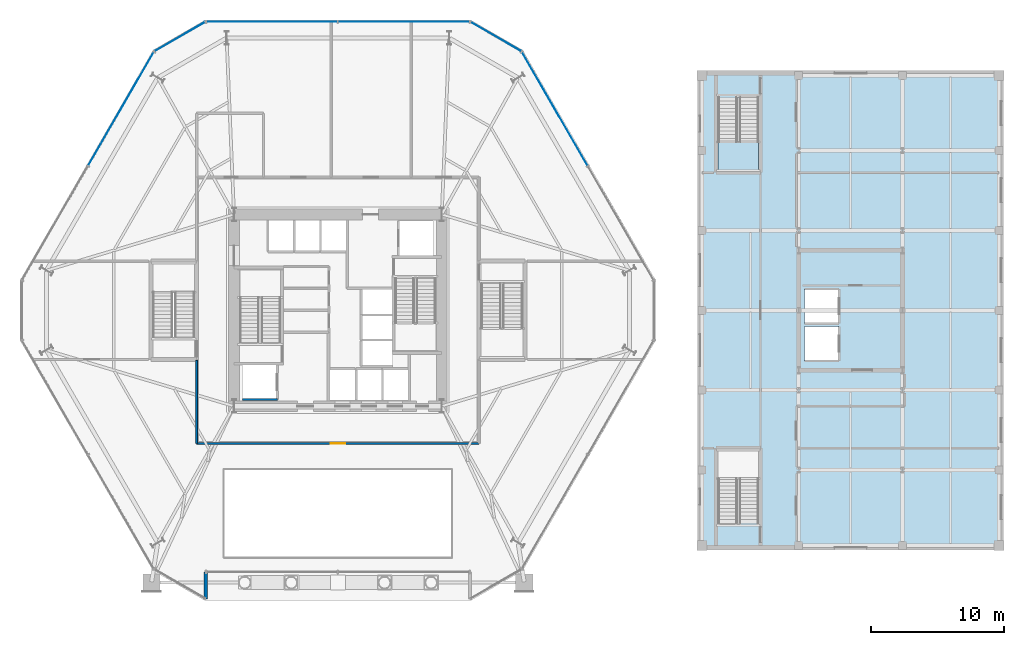
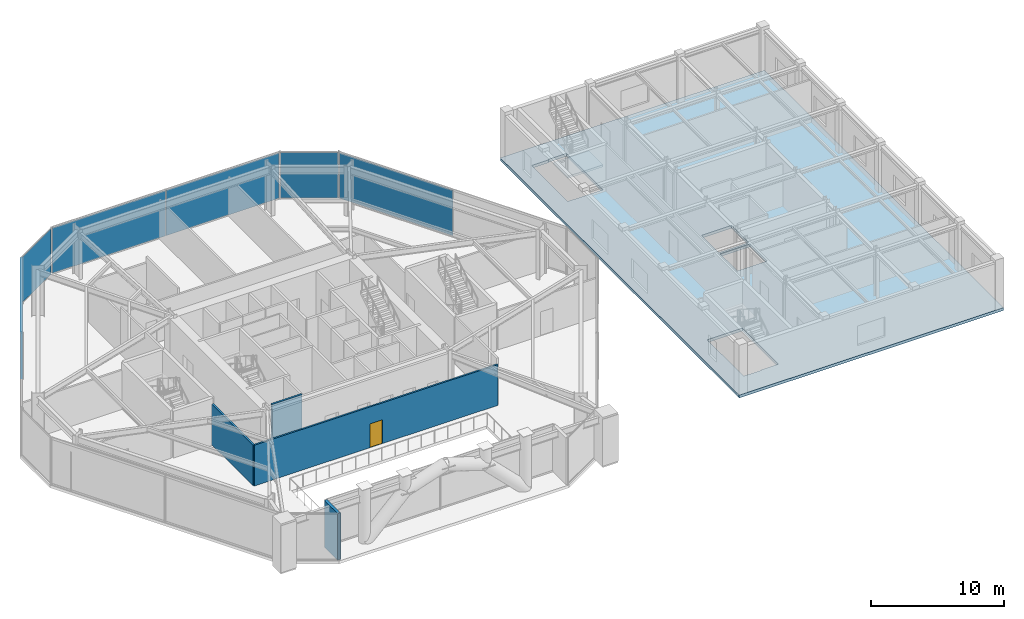
# One storey, part 15 of 23: 6 plates, 4 walls, 2 slabs, 1 door, 1 opening, 6 elements without a shape of their own.
"""IFC4 building model written with IfcOpenShell, lengths in metres."""

import ifcopenshell
import ifcopenshell.guid

model = None  # the IFC model being written
_history = None  # IfcOwnerHistory: only IFC2X3 demands one
_inside = {}  # id of a spatial element -> (the spatial element, [elements in it])
_under = {}  # id of a project, library or spatial element -> (it, [spatial elements below it])
_declared = {}  # id of a project -> (the project, [libraries it declares])
_typed = {}  # id of a type object -> (the type object, [elements of that type])
_made_of = {}  # id of a material, layer set ... -> (it, [elements and type objects made of it])


def new_model(schema):
    """Start an empty IFC model of exactly this schema.

    Asked for "IFC4X3", IfcOpenShell would pick the latest addendum, in which some entities
    have other attributes; the version numbers below select the first issue.
    IFC2X3 requires an IfcOwnerHistory on every rooted entity: one is made here for all.
    """
    global model, _history
    if schema == "IFC4X3":
        model = ifcopenshell.file(schema_version=(4, 3, 0, 0))
    else:
        model = ifcopenshell.file(schema=schema)
    _inside.clear()
    _under.clear()
    _declared.clear()
    _typed.clear()
    _made_of.clear()
    _history = None
    if model.schema == "IFC2X3":
        org = make("IfcOrganization", Name="unknown")
        user = make(
            "IfcPersonAndOrganization",
            ThePerson=make("IfcPerson", FamilyName="unknown"),
            TheOrganization=org,
        )
        app = make(
            "IfcApplication",
            ApplicationDeveloper=org,
            Version="unknown",
            ApplicationFullName="unknown",
            ApplicationIdentifier="unknown",
        )
        _history = make(
            "IfcOwnerHistory",
            OwningUser=user,
            OwningApplication=app,
            ChangeAction="ADDED",
            CreationDate=0,
        )
    return model


def make(cls, **values):
    """One entity of the class cls with the attributes given. An attribute that is None is left unset."""
    return model.create_entity(
        cls, **{name: value for name, value in values.items() if value is not None}
    )


def rooted(cls, **values):
    """An entity with a GlobalId (a new one), such as an element, a storey or a relation."""
    return make(cls, GlobalId=ifcopenshell.guid.new(), OwnerHistory=_history, **values)


def si_unit(unit_type, name, prefix=None):
    """IfcSIUnit, for example si_unit("LENGTHUNIT", "METRE", prefix="MILLI")."""
    return make("IfcSIUnit", UnitType=unit_type, Prefix=prefix, Name=name)


def assignment(units):
    """IfcUnitAssignment: the units of a project."""
    return None if units is None else make("IfcUnitAssignment", Units=units)


def point(xyz):
    """IfcCartesianPoint."""
    return None if xyz is None else make("IfcCartesianPoint", Coordinates=xyz)


def direction(xyz):
    """IfcDirection."""
    return None if xyz is None else make("IfcDirection", DirectionRatios=xyz)


def frame(location, z_axis=None, x_axis=None):
    """IfcAxis2Placement3D, a coordinate frame: its origin and axes. An axis left out is left unset."""
    return make(
        "IfcAxis2Placement3D",
        Location=point(location),
        Axis=direction(z_axis),
        RefDirection=direction(x_axis),
    )


def frame_2d(location, x_axis=None):
    """IfcAxis2Placement2D, a coordinate frame in the plane: its origin and x axis."""
    return make(
        "IfcAxis2Placement2D", Location=point(location), RefDirection=direction(x_axis)
    )


def origin():
    """The frame at (0, 0, 0) with its axes left unset."""
    return frame((0.0, 0.0, 0.0))


def origin_2d():
    """The frame at (0, 0) in the plane with its x axis left unset."""
    return frame_2d((0.0, 0.0))


def place(relative_to, where):
    """IfcLocalPlacement: puts the frame where relative to a parent placement (None: the world)."""
    return make(
        "IfcLocalPlacement", PlacementRelTo=relative_to, RelativePlacement=where
    )


def context(
    kind, dimensions, precision=None, world=None, true_north=None, identifier=None
):
    """IfcGeometricRepresentationContext, for example the 3D "Model" context."""
    return make(
        "IfcGeometricRepresentationContext",
        ContextIdentifier=identifier,
        ContextType=kind,
        CoordinateSpaceDimension=dimensions,
        Precision=precision,
        WorldCoordinateSystem=world,
        TrueNorth=true_north,
    )


def subcontext(parent, identifier, kind, view, scale=None):
    """IfcGeometricRepresentationSubContext, for example "Body" below "Model"."""
    return make(
        "IfcGeometricRepresentationSubContext",
        ContextIdentifier=identifier,
        ContextType=kind,
        ParentContext=parent,
        TargetScale=scale,
        TargetView=view,
    )


def project(units=None, contexts=None):
    """IfcProject with its units and contexts."""
    return rooted(
        "IfcProject",
        Name="project",
        RepresentationContexts=contexts,
        UnitsInContext=assignment(units),
    )


def spatial(cls, under=None, at=None, **own):
    """A site, building, storey or space (cls), placed at a placement, below another one or the project."""
    s = rooted(cls, ObjectPlacement=at, **own)
    if under is not None:
        _under.setdefault(under.id(), (under, []))[1].append(s)
    return s


def polyline(points):
    """IfcPolyline through the points."""
    return make("IfcPolyline", Points=[point(p) for p in points])


def profile(cls, at=None, kind="AREA", **sizes):
    """A parametric profile (cls). Its sizes go by their IFC names, for example OverallWidth=200.0."""
    return make(cls, ProfileType=kind, Position=at, **sizes)


def rectangle(**sizes):
    """IfcRectangleProfileDef."""
    return profile("IfcRectangleProfileDef", **sizes)


def outline(outer, holes=None, kind="AREA"):
    """IfcArbitraryClosedProfileDef: a profile drawn as a closed curve; with holes, ...WithVoids."""
    if holes is None:
        return make("IfcArbitraryClosedProfileDef", ProfileType=kind, OuterCurve=outer)
    return make(
        "IfcArbitraryProfileDefWithVoids",
        ProfileType=kind,
        OuterCurve=outer,
        InnerCurves=holes,
    )


def extrude(swept, where, along, depth):
    """IfcExtrudedAreaSolid: the profile swept, set in the frame where, extruded along a direction by depth."""
    return make(
        "IfcExtrudedAreaSolid",
        SweptArea=swept,
        Position=where,
        ExtrudedDirection=direction(along),
        Depth=depth,
    )


def shape(context_of_items, identifier, shape_type, items):
    """IfcShapeRepresentation: the items that make up one representation, for example the "Body"."""
    return make(
        "IfcShapeRepresentation",
        ContextOfItems=context_of_items,
        RepresentationIdentifier=identifier,
        RepresentationType=shape_type,
        Items=items,
    )


def material(Name=None, Category=None):
    """IfcMaterial."""
    return make("IfcMaterial", Name=Name, Category=Category)


def layer(
    of_material, thickness, ventilated=None, Name=None, Category=None, Priority=None
):
    """IfcMaterialLayer: one layer of a wall or slab, of a material (None: an air gap)."""
    return make(
        "IfcMaterialLayer",
        Material=of_material,
        LayerThickness=thickness,
        IsVentilated=ventilated,
        Name=Name,
        Category=Category,
        Priority=Priority,
    )


def layer_set(layers, Name=None):
    """IfcMaterialLayerSet."""
    return make("IfcMaterialLayerSet", MaterialLayers=layers, LayerSetName=Name)


def made_of(thing, what):
    """Note that an element or type object is made of a material, layer set ...; save() writes the relation."""
    if what is not None:
        _made_of.setdefault(what.id(), (what, []))[1].append(thing)
    return thing


def type_object(cls, material=None, **own):
    """A type object (cls), such as IfcWallType, which elements share."""
    return made_of(rooted(cls, **own), material)


def element(
    cls,
    number,
    at=None,
    inside=None,
    cuts=None,
    type_object=None,
    material=None,
    context=None,
    identifier="Body",
    shape_type=None,
    held_by="IfcProductDefinitionShape",
    body=None,
    shapes=None,
    **own,
):
    """One element of the class cls, such as IfcWall. Its Tag is "e" and its number.

    at: its placement. inside: the storey or other place that contains it. cuts: it is an
    opening in that element (IfcRelVoidsElement). A single representation is given by context,
    identifier, shape_type and body (its items); several are given by shapes. held_by: the class
    of the entity that holds the representations. save() writes the other relations.
    """
    e = rooted(cls, Tag="e%d" % number, ObjectPlacement=at, **own)
    if body is not None:
        shapes = [shape(context, identifier, shape_type, body)]
    if shapes is not None:
        e.Representation = make(held_by, Representations=shapes)
    if inside is not None:
        _inside.setdefault(inside.id(), (inside, []))[1].append(e)
    if cuts is not None:
        rooted(
            "IfcRelVoidsElement", RelatingBuildingElement=cuts, RelatedOpeningElement=e
        )
    if type_object is not None:
        _typed.setdefault(type_object.id(), (type_object, []))[1].append(e)
    return made_of(e, material)


def fill(opening, filler):
    """IfcRelFillsElement: the door or window that sits in an opening."""
    return rooted(
        "IfcRelFillsElement",
        RelatingOpeningElement=opening,
        RelatedBuildingElement=filler,
    )


def aggregate(whole, parts):
    """IfcRelAggregates: a whole, such as a stair, and the parts it consists of."""
    return rooted("IfcRelAggregates", RelatingObject=whole, RelatedObjects=parts)


def save(model, path):
    """Write the relations noted so far, then the file.

    IfcRelAggregates (storeys below a building ...), IfcRelContainedInSpatialStructure (elements
    in a storey), IfcRelDefinesByType, IfcRelAssociatesMaterial and IfcRelDeclares: one each for
    every whole, place, type object, material and project.
    """
    for whole, parts in _under.values():
        aggregate(whole, parts)
    for where, things in _inside.values():
        rooted(
            "IfcRelContainedInSpatialStructure",
            RelatedElements=things,
            RelatingStructure=where,
        )
    for kind, things in _typed.values():
        rooted("IfcRelDefinesByType", RelatedObjects=things, RelatingType=kind)
    for what, things in _made_of.values():
        rooted("IfcRelAssociatesMaterial", RelatedObjects=things, RelatingMaterial=what)
    for by, libraries in _declared.values():
        rooted("IfcRelDeclares", RelatingContext=by, RelatedDefinitions=libraries)
    model.write(path)


model = new_model("IFC4")

# Units and contexts
model_context = context("Model", 3, precision=1e-05, world=origin(), true_north=direction((0.0, 1.0)))
body_context = subcontext(model_context, "Body", "Model", "MODEL_VIEW")
ifc_project = project(units=[si_unit("LENGTHUNIT", "METRE"), si_unit("AREAUNIT", "SQUARE_METRE"), si_unit("VOLUMEUNIT", "CUBIC_METRE"), si_unit("PLANEANGLEUNIT", "RADIAN"), si_unit("MASSUNIT", "GRAM", prefix="KILO")], contexts=[model_context])

# Site, building, storey
site_placement = place(None, origin())
site = spatial("IfcSite", under=ifc_project, at=site_placement, CompositionType="ELEMENT")
building_placement = place(site_placement, origin())
building = spatial("IfcBuilding", under=site, at=building_placement, Name="Kranzbogen Civic Tower", CompositionType="ELEMENT")
storey_placement = place(building_placement, frame((0.0, 0.0, 14.39990234375)))
storey = spatial("IfcBuildingStorey", under=building, at=storey_placement, Name="L03", CompositionType="ELEMENT", Elevation=14.39990234375)

# Slab
ifc_material_1 = material(Name="Concrete C40/50", Category="concrete")
ifc_layer_1 = layer(ifc_material_1, 0.260009765625, Name="Concrete C40/50")
ifc_layer_set_1 = layer_set([ifc_layer_1], Name="Concrete C40/50")
slab_type_1 = type_object("IfcSlabType", Name="Composite Podium and Sky Lobby Floor Slab 260 mm", PredefinedType="FLOOR", material=ifc_layer_set_1)
slab_1_placement = place(storey_placement, frame((0.0, 0.0, -0.260009765625)))
element("IfcSlab", 1, at=slab_1_placement, inside=storey, type_object=slab_type_1, Name="L03 Community Health Centre floor slab", PredefinedType="FLOOR", context=body_context, shape_type="SweptSolid", body=[
    extrude(outline(polyline([(75.0, 7.0), (75.0, 43.0), (52.0, 43.0), (52.0, 7.0), (75.0, 7.0)]), holes=[polyline([(55.14990234375, 9.06005859375), (55.14990234375, 9.0), (53.550048828125, 9.0), (53.550048828125, 14.5), (56.60009765625, 14.5), (56.60009765625, 9.06005859375), (55.14990234375, 9.06005859375)]), polyline([(60.050048828125, 21.199951171875), (60.050048828125, 23.800048828125), (62.64990234375, 23.800048828125), (62.64990234375, 21.199951171875), (60.050048828125, 21.199951171875)]), polyline([(62.64990234375, 24.0), (60.050048828125, 24.0), (60.050048828125, 26.60009765625), (62.64990234375, 26.60009765625), (62.64990234375, 24.0)]), polyline([(55.0, 41.0), (56.60009765625, 41.0), (56.60009765625, 35.5), (53.550048828125, 35.5), (53.550048828125, 40.93994140625), (55.0, 40.93994140625), (55.0, 41.0)])]), origin(), (0.0, 0.0, 1.0), 0.260009765625),
])

# Curtain wall, plate
ifc_material_2 = material(Name="Pale Anodised Aluminium", Category="aluminium")
ifc_layer_2 = layer(ifc_material_2, 0.219970703125, Name="Pale Anodised Aluminium")
ifc_layer_set_2 = layer_set([ifc_layer_2], Name="Pale Anodised Aluminium")
curtain_wall_type_1 = type_object("IfcCurtainWallType", Name="Chamfer Facet Stick Curtain Wall System CW-06", PredefinedType="USERDEFINED", material=ifc_layer_set_2)
curtain_wall_1_placement = place(storey_placement, origin())
curtain_wall_1 = element("IfcCurtainWall", 2, at=curtain_wall_1_placement, inside=storey, type_object=curtain_wall_type_1, Name="L03 curtain wall CW-L03-C1", ObjectType="STICK CURTAIN WALL", PredefinedType="USERDEFINED")
ifc_material_3 = material(Name="Low-E Triple Glazing Glass", Category="glass")
ifc_layer_3 = layer(ifc_material_3, 0.02587890625, Name="Low-E Triple Glazing Glass")
ifc_layer_set_3 = layer_set([ifc_layer_3], Name="Low-E Triple Glazing Glass")
plate_type_1 = type_object("IfcPlateType", Name="Insulated Low-E Glazing Panel 26 mm", PredefinedType="CURTAIN_PANEL", material=ifc_layer_set_3)
plate_1_placement = place(storey_placement, frame((36.866943359375, 45.554443359375, 0.06005859375), z_axis=(0.0, 0.0, 1.0), x_axis=(-0.865992001897, 0.500057849305, 0.0)))
plate_1 = element("IfcPlate", 3, at=plate_1_placement, type_object=plate_type_1, Name="CW-06 panel 1.1", PredefinedType="CURTAIN_PANEL", context=body_context, shape_type="SweptSolid", body=[
    extrude(rectangle(XDim=4.353515625, YDim=0.028076171875, at=origin_2d()), origin(), (0.0, 0.0, 1.0), 4.179931640625),
])
aggregate(curtain_wall_1, [plate_1])

curtain_wall_2_placement = place(storey_placement, origin())
curtain_wall_2 = element("IfcCurtainWall", 4, at=curtain_wall_2_placement, inside=storey, type_object=curtain_wall_type_1, Name="L03 curtain wall CW-L03-C2", ObjectType="STICK CURTAIN WALL", PredefinedType="USERDEFINED")
plate_2_placement = place(storey_placement, frame((13.133056640625, 45.554443359375, 0.06005859375), z_axis=(0.0, 0.0, 1.0), x_axis=(-0.865992001897, -0.500057849305, 0.0)))
plate_2 = element("IfcPlate", 5, at=plate_2_placement, type_object=plate_type_1, Name="CW-06 panel 1.1", PredefinedType="CURTAIN_PANEL", context=body_context, shape_type="SweptSolid", body=[
    extrude(rectangle(XDim=4.353515625, YDim=0.028076171875, at=origin_2d()), origin(), (0.0, 0.0, 1.0), 4.179931640625),
])
aggregate(curtain_wall_2, [plate_2])

ifc_layer_4 = layer(ifc_material_2, 0.219970703125, Name="Pale Anodised Aluminium")
ifc_layer_set_4 = layer_set([ifc_layer_4], Name="Pale Anodised Aluminium")
curtain_wall_type_2 = type_object("IfcCurtainWallType", Name="Podium Stick Curtain Wall System CW-01", PredefinedType="USERDEFINED", material=ifc_layer_set_4)
curtain_wall_3_placement = place(storey_placement, origin())
curtain_wall_3 = element("IfcCurtainWall", 6, at=curtain_wall_3_placement, inside=storey, type_object=curtain_wall_type_2, Name="L03 curtain wall CW-L03-F1", ObjectType="STICK CURTAIN WALL", PredefinedType="USERDEFINED")
ifc_layer_5 = layer(ifc_material_3, 0.035888671875, Name="Low-E Triple Glazing Glass")
ifc_layer_set_5 = layer_set([ifc_layer_5], Name="Low-E Triple Glazing Glass")
plate_type_2 = type_object("IfcPlateType", Name="Insulated Low-E Glazing Panel 36 mm", PredefinedType="CURTAIN_PANEL", material=ifc_layer_set_5)
plate_3_placement = place(storey_placement, frame((41.2939453125, 40.123291015625, 0.06005859375), z_axis=(0.0, 0.0, 1.0), x_axis=(-0.500005767433, 0.86602207393, 0.0)))
plate_3 = element("IfcPlate", 7, at=plate_3_placement, type_object=plate_type_2, Name="CW-01 panel 2.1", PredefinedType="CURTAIN_PANEL", context=body_context, shape_type="SweptSolid", body=[
    extrude(rectangle(XDim=9.83984375, YDim=0.028076171875, at=origin_2d()), origin(), (0.0, 0.0, 1.0), 4.179931640625),
])
aggregate(curtain_wall_3, [plate_3])

# Curtain wall, plates
curtain_wall_4_placement = place(storey_placement, origin())
curtain_wall_4 = element("IfcCurtainWall", 8, at=curtain_wall_4_placement, inside=storey, type_object=curtain_wall_type_2, Name="L03 curtain wall CW-L03-F2", ObjectType="STICK CURTAIN WALL", PredefinedType="USERDEFINED")
plate_4_placement = place(storey_placement, frame((29.949951171875, 46.673095703125, 0.06005859375), z_axis=(0.0, 0.0, 1.0), x_axis=(-1.0, 0.0, 0.0)))
plate_4 = element("IfcPlate", 9, at=plate_4_placement, type_object=plate_type_2, Name="CW-01 panel 1.1", PredefinedType="CURTAIN_PANEL", context=body_context, shape_type="SweptSolid", body=[
    extrude(rectangle(XDim=9.840087890625, YDim=0.028076171875, at=origin_2d()), origin(), (0.0, 0.0, 1.0), 4.179931640625),
])
plate_5_placement = place(storey_placement, frame((20.050048828125, 46.673095703125, 0.06005859375), z_axis=(0.0, 0.0, 1.0), x_axis=(-1.0, 0.0, 0.0)))
plate_5 = element("IfcPlate", 10, at=plate_5_placement, type_object=plate_type_2, Name="CW-01 panel 2.1", PredefinedType="CURTAIN_PANEL", context=body_context, shape_type="SweptSolid", body=[
    extrude(rectangle(XDim=9.840087890625, YDim=0.028076171875, at=origin_2d()), origin(), (0.0, 0.0, 1.0), 4.179931640625),
])
aggregate(curtain_wall_4, [plate_4, plate_5])

# Curtain wall, plate
curtain_wall_5_placement = place(storey_placement, origin())
curtain_wall_5 = element("IfcCurtainWall", 11, at=curtain_wall_5_placement, inside=storey, type_object=curtain_wall_type_2, Name="L03 curtain wall CW-L03-F3", ObjectType="STICK CURTAIN WALL", PredefinedType="USERDEFINED")
plate_6_placement = place(storey_placement, frame((8.7060546875, 40.123291015625, 0.06005859375), z_axis=(0.0, 0.0, 1.0), x_axis=(-0.500005767433, -0.86602207393, 0.0)))
plate_6 = element("IfcPlate", 12, at=plate_6_placement, type_object=plate_type_2, Name="CW-01 panel 1.1", PredefinedType="CURTAIN_PANEL", context=body_context, shape_type="SweptSolid", body=[
    extrude(rectangle(XDim=9.83984375, YDim=0.028076171875, at=origin_2d()), origin(), (0.0, 0.0, 1.0), 4.179931640625),
])
aggregate(curtain_wall_5, [plate_6])

# Stair, slab
ifc_material_4 = material(Name="Precast concrete C40/50", Category="concrete")
stair_type = type_object("IfcStairType", Name="Health Centre Escape Dogleg Stair 1450", PredefinedType="HALF_TURN_STAIR", material=ifc_material_4)
stair_placement = place(storey_placement, origin())
stair = element("IfcStair", 13, at=stair_placement, inside=storey, type_object=stair_type, Name="L03 Health Centre Escape Stair 2", PredefinedType="HALF_TURN_STAIR")
ifc_layer_6 = layer(ifc_material_4, 0.199951171875, Name="Precast concrete C40/50")
ifc_layer_set_6 = layer_set([ifc_layer_6], Name="Precast concrete C40/50")
slab_type_2 = type_object("IfcSlabType", Name="Precast Concrete Stair Landing Slab 200 mm", PredefinedType="LANDING", material=ifc_layer_set_6)
slab_2_placement = place(storey_placement, frame((0.0, 0.0, 2.10009765625)))
slab_2 = element("IfcSlab", 14, at=slab_2_placement, type_object=slab_type_2, Name="ST-H2 landing 1", PredefinedType="LANDING", context=body_context, shape_type="SweptSolid", body=[
    extrude(outline(polyline([(53.550048828125, 37.639892578125), (53.550048828125, 35.5), (56.60009765625, 35.5), (56.60009765625, 37.639892578125), (53.550048828125, 37.639892578125)])), origin(), (0.0, 0.0, 1.0), 0.199951171875),
])
aggregate(stair, [slab_2])

# Wall, opening, door
ifc_material_5 = material(Name="Double-Stud Acoustic Gypsum Partition")
ifc_layer_7 = layer(ifc_material_5, 0.14990234375, Name="Double-Stud Acoustic Gypsum Partition")
ifc_layer_set_7 = layer_set([ifc_layer_7], Name="Double-Stud Acoustic Gypsum Partition")
wall_type_1 = type_object("IfcWallType", Name="Acoustic Corridor and Clinical Partition 150 mm", PredefinedType="PARTITIONING", material=ifc_layer_set_7)
wall_1_placement = place(storey_placement, frame((14.39990234375, 15.0, 0.0), z_axis=(0.0, 0.0, 1.0), x_axis=(1.0, 0.0, 0.0)))
wall_1 = element("IfcWall", 15, at=wall_1_placement, inside=storey, type_object=wall_type_1, Name="L03 podium concourse S wall", PredefinedType="PARTITIONING", context=body_context, shape_type="SweptSolid", body=[
    extrude(rectangle(XDim=21.2001953125, YDim=0.14990234375, at=frame_2d((10.60009765625, 0.0))), origin(), (0.0, 0.0, 1.0), 3.75),
])
opening_placement = place(wall_1_placement, frame((10.050048828125, 0.0, 0.0)))
opening = element("IfcOpeningElement", 16, at=opening_placement, cuts=wall_1, Name="Opening D-COR60", PredefinedType="OPENING", context=body_context, shape_type="SweptSolid", body=[
    extrude(rectangle(XDim=1.10009765625, YDim=2.199951171875, at=frame_2d((0.550048828125, 1.10009765625))), frame((0.0, 0.0849609375, 0.0), z_axis=(0.0, -1.0, 0.0), x_axis=(1.0, 0.0, 0.0)), (0.0, 0.0, 1.0), 0.169921875),
])
ifc_material_6 = material(Name="Oak Timber and Fire Core", Category="wood")
door_type = type_object("IfcDoorType", Name="Corridor Acoustic Fire Door 1100x2200", OperationType="NOTDEFINED", PredefinedType="DOOR", material=ifc_material_6)
door_placement = place(opening_placement, origin())
door = element("IfcDoor", 17, at=door_placement, inside=storey, type_object=door_type, Name="L03 Council Public Viewing Gallery door", OperationType="SINGLE_SWING_RIGHT", OverallHeight=2.199951171875, OverallWidth=1.10009765625, PredefinedType="DOOR", context=body_context, shape_type="SweptSolid", body=[
    extrude(rectangle(XDim=1.10009765625, YDim=2.199951171875, at=frame_2d((0.550048828125, 1.10009765625))), frame((0.0, 0.02490234375, 0.0), z_axis=(0.0, -1.0, 0.0), x_axis=(1.0, 0.0, 0.0)), (0.0, 0.0, 1.0), 0.050048828125),
])
fill(opening, door)

# Walls
wall_2_placement = place(storey_placement, frame((14.39990234375, 15.0, 0.0), z_axis=(0.0, 0.0, 1.0), x_axis=(0.0, 1.0, 0.0)))
element("IfcWall", 18, at=wall_2_placement, inside=storey, type_object=wall_type_1, Name="L03 podium concourse W1 wall", PredefinedType="PARTITIONING", context=body_context, shape_type="SweptSolid", body=[
    extrude(rectangle(XDim=6.25, YDim=0.14990234375, at=frame_2d((3.125, 0.0))), origin(), (0.0, 0.0, 1.0), 3.75),
])
ifc_material_7 = material(Name="Gypsum Fireboard Shaftliner")
ifc_layer_8 = layer(ifc_material_7, 0.175048828125, Name="Gypsum Fireboard Shaftliner")
ifc_layer_set_8 = layer_set([ifc_layer_8], Name="Gypsum Fireboard Shaftliner")
wall_type_2 = type_object("IfcWallType", Name="Fire-Rated Lift and Service Shaft Wall 175 mm", PredefinedType="PARTITIONING", material=ifc_layer_set_8)
wall_3_placement = place(storey_placement, frame((17.85009765625, 18.300048828125, 0.0), z_axis=(0.0, 0.0, 1.0), x_axis=(1.0, 0.0, 0.0)))
element("IfcWall", 19, at=wall_3_placement, inside=storey, type_object=wall_type_2, Name="L03 lift FF-01 side wall", PredefinedType="PARTITIONING", context=body_context, shape_type="SweptSolid", body=[
    extrude(rectangle(XDim=2.599853515625, YDim=0.175048828125, at=frame_2d((1.2998046875, 0.0))), origin(), (0.0, 0.0, 1.0), 4.300048828125),
])
ifc_layer_9 = layer(ifc_material_2, 0.239990234375, Name="Pale Anodised Aluminium")
ifc_layer_set_9 = layer_set([ifc_layer_9], Name="Pale Anodised Aluminium")
wall_type_3 = type_object("IfcWallType", Name="Insulated Aluminium Facade Portal Wall 240 mm", PredefinedType="STANDARD", material=ifc_layer_set_9)
wall_4_placement = place(storey_placement, frame((15.070068359375, 3.326904296875, 0.0), z_axis=(0.0, 0.0, 1.0), x_axis=(0.0, 1.0, 0.0)))
element("IfcWall", 20, at=wall_4_placement, inside=storey, type_object=wall_type_3, Name="L03 portal colonnade West return wall", PredefinedType="STANDARD", context=body_context, shape_type="SweptSolid", body=[
    extrude(rectangle(XDim=2.023193359375, YDim=0.239990234375, at=frame_2d((1.01171875, 0.0))), origin(), (0.0, 0.0, 1.0), 4.300048828125),
])

save(model, "model.ifc")
